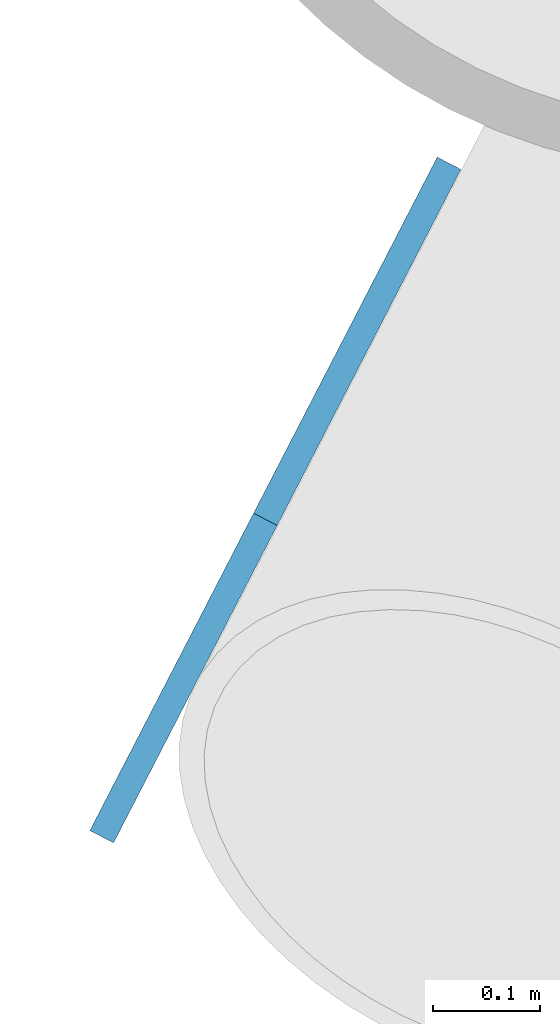
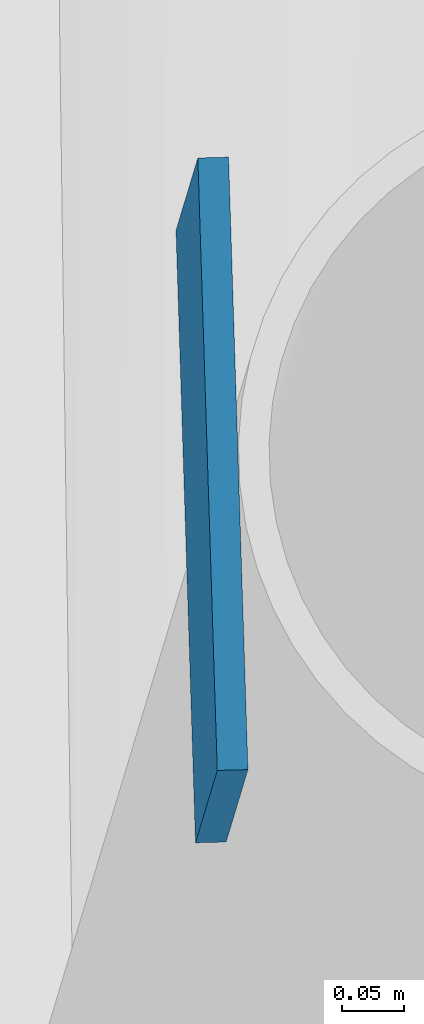
# One storey, part 9 of 23: 1 discrete accessory.
"""IFC4 building model written with IfcOpenShell, lengths in metres."""

from ifc_helpers import new_model, si_unit, direction, frame, origin, origin_2d, place, context, subcontext, project, spatial, rectangle, extrude, material, material_profile, profile_set, type_object, element, save


model = new_model("IFC4")

# Units and contexts
model_context = context("Model", 3, precision=1e-05, world=origin(), true_north=direction((0.0, 1.0)))
body_context = subcontext(model_context, "Body", "Model", "MODEL_VIEW")
ifc_project = project(units=[si_unit("LENGTHUNIT", "METRE"), si_unit("AREAUNIT", "SQUARE_METRE"), si_unit("VOLUMEUNIT", "CUBIC_METRE"), si_unit("PLANEANGLEUNIT", "RADIAN"), si_unit("MASSUNIT", "GRAM", prefix="KILO")], contexts=[model_context])

# Site, building, storey
site_placement = place(None, origin())
site = spatial("IfcSite", under=ifc_project, at=site_placement, CompositionType="ELEMENT")
building_placement = place(site_placement, origin())
building = spatial("IfcBuilding", under=site, at=building_placement, Name="Tarsis Ring Headquarters", CompositionType="ELEMENT")
storey_placement = place(building_placement, frame((0.0, 0.0, 155.39990234375)))
storey = spatial("IfcBuildingStorey", under=building, at=storey_placement, Name="L35", CompositionType="ELEMENT", Elevation=155.39990234375)

# Discrete accessory
ifc_material = material(Name="Structural steel S355", Category="steel")
ifc_material_profile = material_profile(ifc_material, rectangle(XDim=0.02490234375, YDim=0.5, at=origin_2d()), Name="PL 25x500")
ifc_profile_set = profile_set([ifc_material_profile], Name="Structural steel S355")
discrete_accessory_type = type_object("IfcDiscreteAccessoryType", Name="Gusset plate Exo brace 25", PredefinedType="BRACKET", material=ifc_profile_set)
discrete_accessory_placement = place(storey_placement, frame((-44.9365234375, 7.68603515625, 7.800048828125), z_axis=(0.342213894673, 0.663436066849, -0.66538878522), x_axis=(-0.888732400427, 0.458426352244, 0.0)))
element("IfcDiscreteAccessory", 1, at=discrete_accessory_placement, inside=storey, type_object=discrete_accessory_type, Name="Gusset plate GP5", PredefinedType="BRACKET", context=body_context, shape_type="SweptSolid", body=[
    extrude(rectangle(XDim=0.02490234375, YDim=0.5, at=origin_2d()), origin(), (0.0, 0.0, 1.0), 0.5),
])

save(model, "model.ifc")
